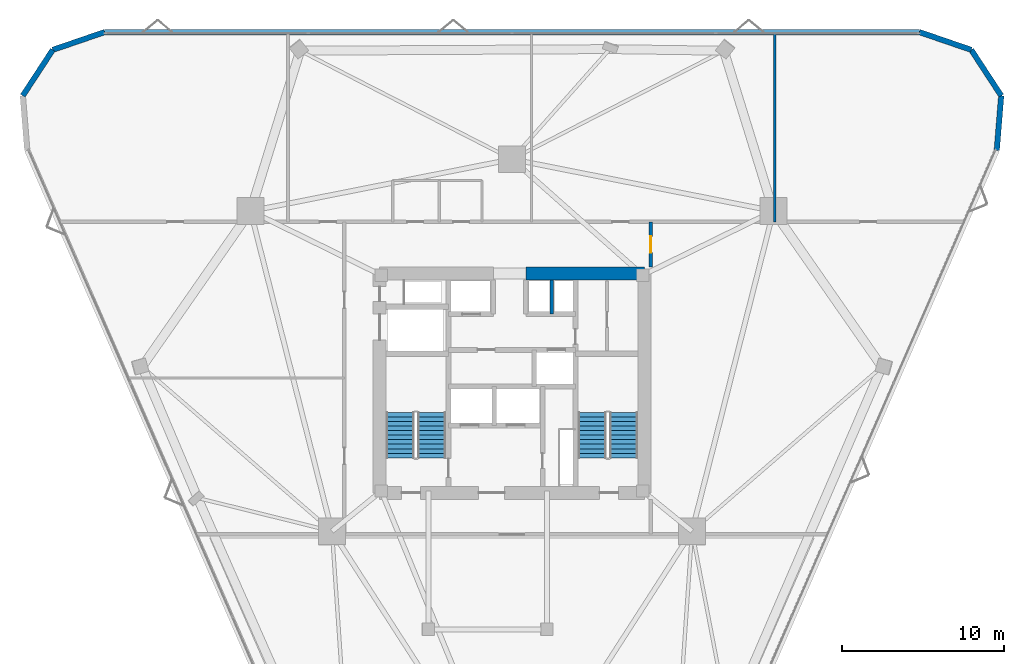
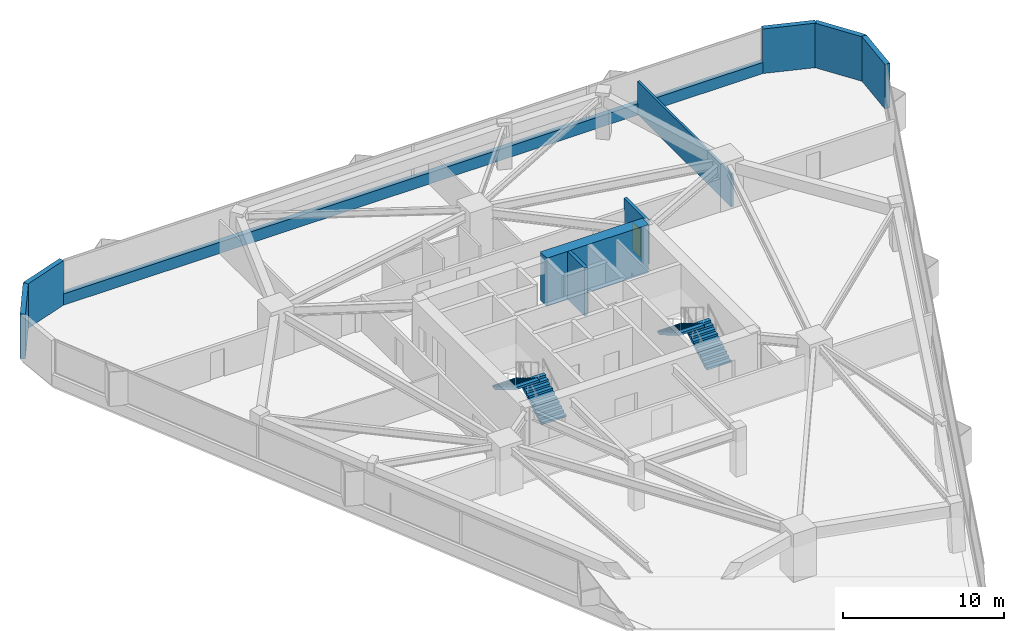
# One storey, part 13 of 15: 10 walls, 4 stair flights, 1 door, 1 opening, 2 elements without a shape of their own.
"""IFC4 building model written with IfcOpenShell, lengths in metres."""

import ifcopenshell
import ifcopenshell.guid

model = None  # the IFC model being written
_history = None  # IfcOwnerHistory: only IFC2X3 demands one
_inside = {}  # id of a spatial element -> (the spatial element, [elements in it])
_under = {}  # id of a project, library or spatial element -> (it, [spatial elements below it])
_declared = {}  # id of a project -> (the project, [libraries it declares])
_typed = {}  # id of a type object -> (the type object, [elements of that type])
_made_of = {}  # id of a material, layer set ... -> (it, [elements and type objects made of it])


def new_model(schema):
    """Start an empty IFC model of exactly this schema.

    Asked for "IFC4X3", IfcOpenShell would pick the latest addendum, in which some entities
    have other attributes; the version numbers below select the first issue.
    IFC2X3 requires an IfcOwnerHistory on every rooted entity: one is made here for all.
    """
    global model, _history
    if schema == "IFC4X3":
        model = ifcopenshell.file(schema_version=(4, 3, 0, 0))
    else:
        model = ifcopenshell.file(schema=schema)
    _inside.clear()
    _under.clear()
    _declared.clear()
    _typed.clear()
    _made_of.clear()
    _history = None
    if model.schema == "IFC2X3":
        org = make("IfcOrganization", Name="unknown")
        user = make(
            "IfcPersonAndOrganization",
            ThePerson=make("IfcPerson", FamilyName="unknown"),
            TheOrganization=org,
        )
        app = make(
            "IfcApplication",
            ApplicationDeveloper=org,
            Version="unknown",
            ApplicationFullName="unknown",
            ApplicationIdentifier="unknown",
        )
        _history = make(
            "IfcOwnerHistory",
            OwningUser=user,
            OwningApplication=app,
            ChangeAction="ADDED",
            CreationDate=0,
        )
    return model


def make(cls, **values):
    """One entity of the class cls with the attributes given. An attribute that is None is left unset."""
    return model.create_entity(
        cls, **{name: value for name, value in values.items() if value is not None}
    )


def rooted(cls, **values):
    """An entity with a GlobalId (a new one), such as an element, a storey or a relation."""
    return make(cls, GlobalId=ifcopenshell.guid.new(), OwnerHistory=_history, **values)


def si_unit(unit_type, name, prefix=None):
    """IfcSIUnit, for example si_unit("LENGTHUNIT", "METRE", prefix="MILLI")."""
    return make("IfcSIUnit", UnitType=unit_type, Prefix=prefix, Name=name)


def assignment(units):
    """IfcUnitAssignment: the units of a project."""
    return None if units is None else make("IfcUnitAssignment", Units=units)


def point(xyz):
    """IfcCartesianPoint."""
    return None if xyz is None else make("IfcCartesianPoint", Coordinates=xyz)


def direction(xyz):
    """IfcDirection."""
    return None if xyz is None else make("IfcDirection", DirectionRatios=xyz)


def frame(location, z_axis=None, x_axis=None):
    """IfcAxis2Placement3D, a coordinate frame: its origin and axes. An axis left out is left unset."""
    return make(
        "IfcAxis2Placement3D",
        Location=point(location),
        Axis=direction(z_axis),
        RefDirection=direction(x_axis),
    )


def frame_2d(location, x_axis=None):
    """IfcAxis2Placement2D, a coordinate frame in the plane: its origin and x axis."""
    return make(
        "IfcAxis2Placement2D", Location=point(location), RefDirection=direction(x_axis)
    )


def origin():
    """The frame at (0, 0, 0) with its axes left unset."""
    return frame((0.0, 0.0, 0.0))


def place(relative_to, where):
    """IfcLocalPlacement: puts the frame where relative to a parent placement (None: the world)."""
    return make(
        "IfcLocalPlacement", PlacementRelTo=relative_to, RelativePlacement=where
    )


def context(
    kind, dimensions, precision=None, world=None, true_north=None, identifier=None
):
    """IfcGeometricRepresentationContext, for example the 3D "Model" context."""
    return make(
        "IfcGeometricRepresentationContext",
        ContextIdentifier=identifier,
        ContextType=kind,
        CoordinateSpaceDimension=dimensions,
        Precision=precision,
        WorldCoordinateSystem=world,
        TrueNorth=true_north,
    )


def subcontext(parent, identifier, kind, view, scale=None):
    """IfcGeometricRepresentationSubContext, for example "Body" below "Model"."""
    return make(
        "IfcGeometricRepresentationSubContext",
        ContextIdentifier=identifier,
        ContextType=kind,
        ParentContext=parent,
        TargetScale=scale,
        TargetView=view,
    )


def project(units=None, contexts=None):
    """IfcProject with its units and contexts."""
    return rooted(
        "IfcProject",
        Name="project",
        RepresentationContexts=contexts,
        UnitsInContext=assignment(units),
    )


def spatial(cls, under=None, at=None, **own):
    """A site, building, storey or space (cls), placed at a placement, below another one or the project."""
    s = rooted(cls, ObjectPlacement=at, **own)
    if under is not None:
        _under.setdefault(under.id(), (under, []))[1].append(s)
    return s


def polyline(points):
    """IfcPolyline through the points."""
    return make("IfcPolyline", Points=[point(p) for p in points])


def profile(cls, at=None, kind="AREA", **sizes):
    """A parametric profile (cls). Its sizes go by their IFC names, for example OverallWidth=200.0."""
    return make(cls, ProfileType=kind, Position=at, **sizes)


def rectangle(**sizes):
    """IfcRectangleProfileDef."""
    return profile("IfcRectangleProfileDef", **sizes)


def outline(outer, holes=None, kind="AREA"):
    """IfcArbitraryClosedProfileDef: a profile drawn as a closed curve; with holes, ...WithVoids."""
    if holes is None:
        return make("IfcArbitraryClosedProfileDef", ProfileType=kind, OuterCurve=outer)
    return make(
        "IfcArbitraryProfileDefWithVoids",
        ProfileType=kind,
        OuterCurve=outer,
        InnerCurves=holes,
    )


def extrude(swept, where, along, depth):
    """IfcExtrudedAreaSolid: the profile swept, set in the frame where, extruded along a direction by depth."""
    return make(
        "IfcExtrudedAreaSolid",
        SweptArea=swept,
        Position=where,
        ExtrudedDirection=direction(along),
        Depth=depth,
    )


def shape(context_of_items, identifier, shape_type, items):
    """IfcShapeRepresentation: the items that make up one representation, for example the "Body"."""
    return make(
        "IfcShapeRepresentation",
        ContextOfItems=context_of_items,
        RepresentationIdentifier=identifier,
        RepresentationType=shape_type,
        Items=items,
    )


def material(Name=None, Category=None):
    """IfcMaterial."""
    return make("IfcMaterial", Name=Name, Category=Category)


def layer(
    of_material, thickness, ventilated=None, Name=None, Category=None, Priority=None
):
    """IfcMaterialLayer: one layer of a wall or slab, of a material (None: an air gap)."""
    return make(
        "IfcMaterialLayer",
        Material=of_material,
        LayerThickness=thickness,
        IsVentilated=ventilated,
        Name=Name,
        Category=Category,
        Priority=Priority,
    )


def layer_set(layers, Name=None):
    """IfcMaterialLayerSet."""
    return make("IfcMaterialLayerSet", MaterialLayers=layers, LayerSetName=Name)


def made_of(thing, what):
    """Note that an element or type object is made of a material, layer set ...; save() writes the relation."""
    if what is not None:
        _made_of.setdefault(what.id(), (what, []))[1].append(thing)
    return thing


def type_object(cls, material=None, **own):
    """A type object (cls), such as IfcWallType, which elements share."""
    return made_of(rooted(cls, **own), material)


def element(
    cls,
    number,
    at=None,
    inside=None,
    cuts=None,
    type_object=None,
    material=None,
    context=None,
    identifier="Body",
    shape_type=None,
    held_by="IfcProductDefinitionShape",
    body=None,
    shapes=None,
    **own,
):
    """One element of the class cls, such as IfcWall. Its Tag is "e" and its number.

    at: its placement. inside: the storey or other place that contains it. cuts: it is an
    opening in that element (IfcRelVoidsElement). A single representation is given by context,
    identifier, shape_type and body (its items); several are given by shapes. held_by: the class
    of the entity that holds the representations. save() writes the other relations.
    """
    e = rooted(cls, Tag="e%d" % number, ObjectPlacement=at, **own)
    if body is not None:
        shapes = [shape(context, identifier, shape_type, body)]
    if shapes is not None:
        e.Representation = make(held_by, Representations=shapes)
    if inside is not None:
        _inside.setdefault(inside.id(), (inside, []))[1].append(e)
    if cuts is not None:
        rooted(
            "IfcRelVoidsElement", RelatingBuildingElement=cuts, RelatedOpeningElement=e
        )
    if type_object is not None:
        _typed.setdefault(type_object.id(), (type_object, []))[1].append(e)
    return made_of(e, material)


def fill(opening, filler):
    """IfcRelFillsElement: the door or window that sits in an opening."""
    return rooted(
        "IfcRelFillsElement",
        RelatingOpeningElement=opening,
        RelatedBuildingElement=filler,
    )


def aggregate(whole, parts):
    """IfcRelAggregates: a whole, such as a stair, and the parts it consists of."""
    return rooted("IfcRelAggregates", RelatingObject=whole, RelatedObjects=parts)


def save(model, path):
    """Write the relations noted so far, then the file.

    IfcRelAggregates (storeys below a building ...), IfcRelContainedInSpatialStructure (elements
    in a storey), IfcRelDefinesByType, IfcRelAssociatesMaterial and IfcRelDeclares: one each for
    every whole, place, type object, material and project.
    """
    for whole, parts in _under.values():
        aggregate(whole, parts)
    for where, things in _inside.values():
        rooted(
            "IfcRelContainedInSpatialStructure",
            RelatedElements=things,
            RelatingStructure=where,
        )
    for kind, things in _typed.values():
        rooted("IfcRelDefinesByType", RelatedObjects=things, RelatingType=kind)
    for what, things in _made_of.values():
        rooted("IfcRelAssociatesMaterial", RelatedObjects=things, RelatingMaterial=what)
    for by, libraries in _declared.values():
        rooted("IfcRelDeclares", RelatingContext=by, RelatedDefinitions=libraries)
    model.write(path)


model = new_model("IFC4")

# Units and contexts
model_context = context("Model", 3, precision=1e-05, world=origin(), true_north=direction((0.0, 1.0)))
body_context = subcontext(model_context, "Body", "Model", "MODEL_VIEW")
ifc_project = project(units=[si_unit("LENGTHUNIT", "METRE"), si_unit("AREAUNIT", "SQUARE_METRE"), si_unit("VOLUMEUNIT", "CUBIC_METRE"), si_unit("PLANEANGLEUNIT", "RADIAN"), si_unit("MASSUNIT", "GRAM", prefix="KILO")], contexts=[model_context])

# Site, building, storey
site_placement = place(None, origin())
site = spatial("IfcSite", under=ifc_project, at=site_placement, CompositionType="ELEMENT")
building_placement = place(site_placement, origin())
building = spatial("IfcBuilding", under=site, at=building_placement, Name="Talyreon Biosciences Tower", CompositionType="ELEMENT")
storey_placement = place(building_placement, frame((0.0, 0.0, 111.5)))
storey = spatial("IfcBuildingStorey", under=building, at=storey_placement, Name="L29", CompositionType="ELEMENT", Elevation=111.5)

# Walls
ifc_material_1 = material(Name="Concrete C50/60", Category="concrete")
ifc_layer_1 = layer(ifc_material_1, 0.219970703125)
ifc_layer_set_1 = layer_set([ifc_layer_1], Name="Concrete C50/60")
wall_type_1 = type_object("IfcWallType", Name="CoreShearWall_220", PredefinedType="SHEAR", material=ifc_layer_set_1)
wall_1_placement = place(storey_placement, frame((68.4599609375, 72.25, 0.0), z_axis=(0.0, 0.0, 1.0), x_axis=(0.0, 1.0, 0.0)))
element("IfcWall", 1, at=wall_1_placement, inside=storey, type_object=wall_type_1, Name="L29 Core Shaft Wall SWPHD", PredefinedType="SHEAR", context=body_context, shape_type="SweptSolid", body=[
    extrude(rectangle(XDim=2.10009765625, YDim=0.219970703125, at=frame_2d((1.050048828125, 0.0))), origin(), (0.0, 0.0, 1.0), 3.64990234375),
])
ifc_material_2 = material(Name="Concrete C60/75", Category="concrete")
ifc_layer_2 = layer(ifc_material_2, 0.800048828125)
ifc_layer_set_2 = layer_set([ifc_layer_2], Name="Concrete C60/75")
wall_type_2 = type_object("IfcWallType", Name="CoreShearWall_800", PredefinedType="SHEAR", material=ifc_layer_set_2)
wall_2_placement = place(storey_placement, frame((74.14990234375, 74.75, 0.0), z_axis=(0.0, 0.0, 1.0), x_axis=(-1.0, 0.0, 0.0)))
element("IfcWall", 2, at=wall_2_placement, inside=storey, type_object=wall_type_2, Name="L29 Core Shear Wall NE", PredefinedType="SHEAR", context=body_context, shape_type="SweptSolid", body=[
    extrude(rectangle(XDim=7.2998046875, YDim=0.800048828125, at=frame_2d((3.64990234375, 0.0))), origin(), (0.0, 0.0, 1.0), 3.64990234375),
])

# Wall, opening, door
ifc_material_3 = material(Name="Gypsum fireboard acoustic stud", Category="gypsum")
ifc_layer_3 = layer(ifc_material_3, 0.219970703125)
ifc_layer_set_3 = layer_set([ifc_layer_3], Name="Gypsum fireboard acoustic stud")
wall_type_3 = type_object("IfcWallType", Name="CorridorRatedPartition_220", PredefinedType="PARTITIONING", material=ifc_layer_set_3)
wall_3_placement = place(storey_placement, frame((74.550048828125, 75.14990234375, 0.0), z_axis=(0.0, 0.0, 1.0), x_axis=(0.0, 1.0, 0.0)))
wall_3 = element("IfcWall", 3, at=wall_3_placement, inside=storey, type_object=wall_type_3, Name="L29 Interior Wall IW-L29-ECAP-N", PredefinedType="PARTITIONING", context=body_context, shape_type="SweptSolid", body=[
    extrude(rectangle(XDim=2.780029296875, YDim=0.219970703125, at=frame_2d((1.39013671875, 0.0))), origin(), (0.0, 0.0, 1.0), 3.375),
])
opening_placement = place(wall_3_placement, frame((0.889892578125, 0.0, 0.0)))
opening = element("IfcOpeningElement", 4, at=opening_placement, cuts=wall_3, Name="Opening DR-L29-E1A", PredefinedType="OPENING", context=body_context, shape_type="SweptSolid", body=[
    extrude(rectangle(XDim=1.0, YDim=2.10009765625, at=frame_2d((0.5, 1.050048828125))), frame((0.0, 0.119873046875, 0.0), z_axis=(0.0, -1.0, 0.0), x_axis=(1.0, 0.0, 0.0)), (0.0, 0.0, 1.0), 0.239990234375),
])
ifc_material_4 = material(Name="Acoustic oak veneer office door", Category="wood")
door_type = type_object("IfcDoorType", Name="WriteupOfficeDoor_1000x2100", OperationType="NOTDEFINED", PredefinedType="DOOR", material=ifc_material_4)
door_placement = place(opening_placement, origin())
door = element("IfcDoor", 5, at=door_placement, inside=storey, type_object=door_type, Name="L29 Interior Door DR-L29-E1A", OperationType="SINGLE_SWING_LEFT", OverallHeight=2.10009765625, OverallWidth=1.0, PredefinedType="DOOR", context=body_context, shape_type="SweptSolid", body=[
    extrude(rectangle(XDim=1.0, YDim=2.10009765625, at=frame_2d((0.5, 1.050048828125))), frame((0.0, 0.02490234375, 0.0), z_axis=(0.0, -1.0, 0.0), x_axis=(1.0, 0.0, 0.0)), (0.0, 0.0, 1.0), 0.050048828125),
])
fill(opening, door)

# Walls
ifc_material_5 = material(Name="Gypsum acoustic stud partition", Category="gypsum")
ifc_layer_4 = layer(ifc_material_5, 0.159912109375)
ifc_layer_set_4 = layer_set([ifc_layer_4], Name="Gypsum acoustic stud partition")
wall_type_4 = type_object("IfcWallType", Name="LabSeparationPartition_160", PredefinedType="PARTITIONING", material=ifc_layer_set_4)
wall_4_placement = place(storey_placement, frame((82.19189453125, 77.929931640625, 0.0), z_axis=(0.0, 0.0, 1.0), x_axis=(0.0, 1.0, 0.0)))
element("IfcWall", 6, at=wall_4_placement, inside=storey, type_object=wall_type_4, Name="L29 Interior Wall IW-L29-NDIV3", PredefinedType="PARTITIONING", context=body_context, shape_type="SweptSolid", body=[
    extrude(rectangle(XDim=11.60498046875, YDim=0.159912109375, at=frame_2d((5.802490234375, 0.0))), origin(), (0.0, 0.0, 1.0), 2.5048828125),
])
ifc_material_6 = material(Name="Precast concrete C45/55", Category="concrete")
ifc_layer_5 = layer(ifc_material_6, 0.340087890625)
ifc_layer_set_5 = layer_set([ifc_layer_5], Name="Precast concrete C45/55")
wall_type_5 = type_object("IfcWallType", Name="PrecastConcreteSpandrelWall_340", PredefinedType="STANDARD", material=ifc_layer_set_5)
wall_5_placement = place(storey_placement, frame((35.8720703125, 85.70166015625, 0.0), z_axis=(0.0, 0.0, 1.0), x_axis=(0.547567076679, 0.836761791992, 0.0)))
element("IfcWall", 7, at=wall_5_placement, inside=storey, type_object=wall_type_5, Name="L29 Rounded-Corner Concrete Pier 02", PredefinedType="STANDARD", context=body_context, shape_type="SweptSolid", body=[
    extrude(rectangle(XDim=3.374267578125, YDim=0.340087890625, at=frame_2d((1.68701171875, 0.0))), origin(), (0.0, 0.0, 1.0), 3.375),
])
wall_6_placement = place(storey_placement, frame((37.7197265625, 88.525146484375, 0.0), z_axis=(0.0, 0.0, 1.0), x_axis=(0.945912963092, 0.324420508376, 0.0)))
element("IfcWall", 8, at=wall_6_placement, inside=storey, type_object=wall_type_5, Name="L29 Rounded-Corner Concrete Pier 03", PredefinedType="STANDARD", context=body_context, shape_type="SweptSolid", body=[
    extrude(rectangle(XDim=3.37451171875, YDim=0.340087890625, at=frame_2d((1.687255859375, 0.0))), origin(), (0.0, 0.0, 1.0), 3.375),
])
wall_7_placement = place(storey_placement, frame((40.91162109375, 89.619873046875, 0.0), z_axis=(0.0, 0.0, 1.0), x_axis=(1.0, 0.0, 0.0)))
element("IfcWall", 9, at=wall_7_placement, inside=storey, type_object=wall_type_5, Name="L29 Expressed Concrete Sill Wall 04", PredefinedType="STANDARD", context=body_context, shape_type="SweptSolid", body=[
    extrude(rectangle(XDim=50.1767578125, YDim=0.340087890625, at=frame_2d((25.08837890625, 0.0))), origin(), (0.0, 0.0, 1.0), 0.85009765625),
])
wall_8_placement = place(storey_placement, frame((91.08837890625, 89.619873046875, 0.0), z_axis=(0.0, 0.0, 1.0), x_axis=(0.945912963092, -0.324420508376, 0.0)))
element("IfcWall", 10, at=wall_8_placement, inside=storey, type_object=wall_type_5, Name="L29 Rounded-Corner Concrete Pier 05", PredefinedType="STANDARD", context=body_context, shape_type="SweptSolid", body=[
    extrude(rectangle(XDim=3.37451171875, YDim=0.340087890625, at=frame_2d((1.687255859375, 0.0))), origin(), (0.0, 0.0, 1.0), 3.375),
])
for number, where, z_axis, x_axis, name in (
    (11, (94.2802734375, 88.525146484375, 0.0), (0.0, 0.0, 1.0), (0.547567076679, -0.836761791992, 0.0), "L29 Rounded-Corner Concrete Pier 06"),
    (12, (96.1279296875, 85.70166015625, 0.0), (0.0, 0.0, 1.0), (-0.081254928028, -0.996693351373, 0.0), "L29 Rounded-Corner Concrete Pier 07"),
):
    element("IfcWall", number, at=place(storey_placement, frame(where, z_axis=z_axis, x_axis=x_axis)), inside=storey, type_object=wall_type_5, Name=name, PredefinedType="STANDARD", context=body_context, shape_type="SweptSolid", body=[
        extrude(rectangle(XDim=3.374267578125, YDim=0.340087890625, at=frame_2d((1.68701171875, 0.0))), origin(), (0.0, 0.0, 1.0), 3.375),
    ])

# Stair, stair flights
ifc_material_7 = material(Name="Concrete C40/50", Category="concrete")
stair_type = type_object("IfcStairType", Name="DoglegEscapeStair_3650", PredefinedType="HALF_TURN_STAIR", material=ifc_material_7)
stair_1_placement = place(storey_placement, origin())
stair_1 = element("IfcStair", 13, at=stair_1_placement, inside=storey, type_object=stair_type, Name="L29 Core Escape Stair 1", PredefinedType="HALF_TURN_STAIR")
stair_flight_type = type_object("IfcStairFlightType", Name="PrecastStairFlight_3650", PredefinedType="STRAIGHT", material=ifc_material_7)
stair_flight_1_placement = place(storey_placement, frame((61.06005859375, 63.39990234375, 0.0), z_axis=(0.0, 0.0, 1.0), x_axis=(0.0, 1.0, 0.0)))
stair_flight_1 = element("IfcStairFlight", 14, at=stair_flight_1_placement, type_object=stair_flight_type, Name="ST-1 flight 1", NumberOfRisers=11, NumberOfTreads=10, PredefinedType="STRAIGHT", RiserHeight=0.165909091, TreadLength=0.28, context=body_context, shape_type="SweptSolid", body=[
    extrude(outline(polyline([(0.0, 0.0), (0.0, 0.166015625), (0.280029296875, 0.166015625), (0.280029296875, 0.331787109375), (0.56005859375, 0.331787109375), (0.56005859375, 0.497802734375), (0.840087890625, 0.497802734375), (0.840087890625, 0.66357421875), (1.1201171875, 0.66357421875), (1.1201171875, 0.82958984375), (1.39990234375, 0.82958984375), (1.39990234375, 0.995361328125), (1.679931640625, 0.995361328125), (1.679931640625, 1.161376953125), (1.9599609375, 1.161376953125), (1.9599609375, 1.327392578125), (2.239990234375, 1.327392578125), (2.239990234375, 1.4931640625), (2.52001953125, 1.4931640625), (2.52001953125, 1.6591796875), (2.800048828125, 1.6591796875), (2.800048828125, 1.824951171875), (2.800048828125, 1.48486328125), (0.2939453125, 0.0), (0.0, 0.0)])), frame((0.0, 0.8701171875, 0.0), z_axis=(0.0, -1.0, 0.0), x_axis=(1.0, 0.0, 0.0)), (0.0, 0.0, 1.0), 1.739990234375),
])
stair_flight_2_placement = place(storey_placement, frame((59.1201171875, 66.199951171875, 1.824951171875), z_axis=(0.0, 0.0, 1.0), x_axis=(0.0, -1.0, 0.0)))
stair_flight_2 = element("IfcStairFlight", 15, at=stair_flight_2_placement, type_object=stair_flight_type, Name="ST-1 flight 2", NumberOfRisers=11, NumberOfTreads=10, PredefinedType="STRAIGHT", RiserHeight=0.165909091, TreadLength=0.28, context=body_context, shape_type="SweptSolid", body=[
    extrude(outline(polyline([(0.0, 0.0), (0.0, 0.166015625), (0.280029296875, 0.166015625), (0.280029296875, 0.331787109375), (0.56005859375, 0.331787109375), (0.56005859375, 0.497802734375), (0.840087890625, 0.497802734375), (0.840087890625, 0.66357421875), (1.1201171875, 0.66357421875), (1.1201171875, 0.82958984375), (1.39990234375, 0.82958984375), (1.39990234375, 0.995361328125), (1.679931640625, 0.995361328125), (1.679931640625, 1.161376953125), (1.9599609375, 1.161376953125), (1.9599609375, 1.327392578125), (2.239990234375, 1.327392578125), (2.239990234375, 1.4931640625), (2.52001953125, 1.4931640625), (2.52001953125, 1.6591796875), (2.800048828125, 1.6591796875), (2.800048828125, 1.824951171875), (2.800048828125, 1.48486328125), (0.2939453125, 0.0), (0.0, 0.0)])), frame((0.0, 0.8701171875, 0.0), z_axis=(0.0, -1.0, 0.0), x_axis=(1.0, 0.0, 0.0)), (0.0, 0.0, 1.0), 1.739990234375),
])
aggregate(stair_1, [stair_flight_1, stair_flight_2])

stair_2_placement = place(storey_placement, origin())
stair_2 = element("IfcStair", 16, at=stair_2_placement, inside=storey, type_object=stair_type, Name="L29 Core Escape Stair 2", PredefinedType="HALF_TURN_STAIR")
stair_flight_3_placement = place(storey_placement, frame((72.8798828125, 63.39990234375, 0.0), z_axis=(0.0, 0.0, 1.0), x_axis=(0.0, 1.0, 0.0)))
stair_flight_3 = element("IfcStairFlight", 17, at=stair_flight_3_placement, type_object=stair_flight_type, Name="ST-2 flight 1", NumberOfRisers=11, NumberOfTreads=10, PredefinedType="STRAIGHT", RiserHeight=0.165909091, TreadLength=0.28, context=body_context, shape_type="SweptSolid", body=[
    extrude(outline(polyline([(0.0, 0.0), (0.0, 0.166015625), (0.280029296875, 0.166015625), (0.280029296875, 0.331787109375), (0.56005859375, 0.331787109375), (0.56005859375, 0.497802734375), (0.840087890625, 0.497802734375), (0.840087890625, 0.66357421875), (1.1201171875, 0.66357421875), (1.1201171875, 0.82958984375), (1.39990234375, 0.82958984375), (1.39990234375, 0.995361328125), (1.679931640625, 0.995361328125), (1.679931640625, 1.161376953125), (1.9599609375, 1.161376953125), (1.9599609375, 1.327392578125), (2.239990234375, 1.327392578125), (2.239990234375, 1.4931640625), (2.52001953125, 1.4931640625), (2.52001953125, 1.6591796875), (2.800048828125, 1.6591796875), (2.800048828125, 1.824951171875), (2.800048828125, 1.48486328125), (0.2939453125, 0.0), (0.0, 0.0)])), frame((0.0, 0.8701171875, 0.0), z_axis=(0.0, -1.0, 0.0), x_axis=(1.0, 0.0, 0.0)), (0.0, 0.0, 1.0), 1.739990234375),
])
stair_flight_4_placement = place(storey_placement, frame((70.93994140625, 66.199951171875, 1.824951171875), z_axis=(0.0, 0.0, 1.0), x_axis=(0.0, -1.0, 0.0)))
stair_flight_4 = element("IfcStairFlight", 18, at=stair_flight_4_placement, type_object=stair_flight_type, Name="ST-2 flight 2", NumberOfRisers=11, NumberOfTreads=10, PredefinedType="STRAIGHT", RiserHeight=0.165909091, TreadLength=0.28, context=body_context, shape_type="SweptSolid", body=[
    extrude(outline(polyline([(0.0, 0.0), (0.0, 0.166015625), (0.280029296875, 0.166015625), (0.280029296875, 0.331787109375), (0.56005859375, 0.331787109375), (0.56005859375, 0.497802734375), (0.840087890625, 0.497802734375), (0.840087890625, 0.66357421875), (1.1201171875, 0.66357421875), (1.1201171875, 0.82958984375), (1.39990234375, 0.82958984375), (1.39990234375, 0.995361328125), (1.679931640625, 0.995361328125), (1.679931640625, 1.161376953125), (1.9599609375, 1.161376953125), (1.9599609375, 1.327392578125), (2.239990234375, 1.327392578125), (2.239990234375, 1.4931640625), (2.52001953125, 1.4931640625), (2.52001953125, 1.6591796875), (2.800048828125, 1.6591796875), (2.800048828125, 1.824951171875), (2.800048828125, 1.48486328125), (0.2939453125, 0.0), (0.0, 0.0)])), frame((0.0, 0.8701171875, 0.0), z_axis=(0.0, -1.0, 0.0), x_axis=(1.0, 0.0, 0.0)), (0.0, 0.0, 1.0), 1.739990234375),
])
aggregate(stair_2, [stair_flight_3, stair_flight_4])

save(model, "model.ifc")
